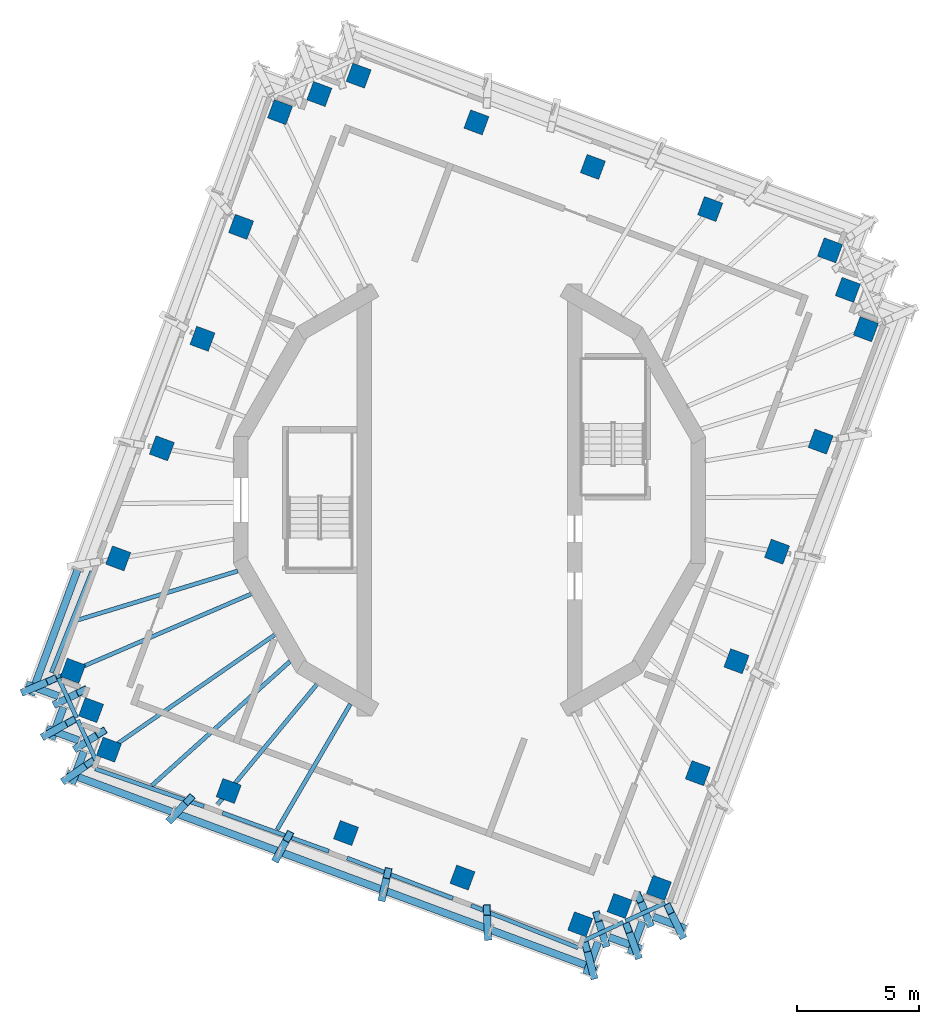
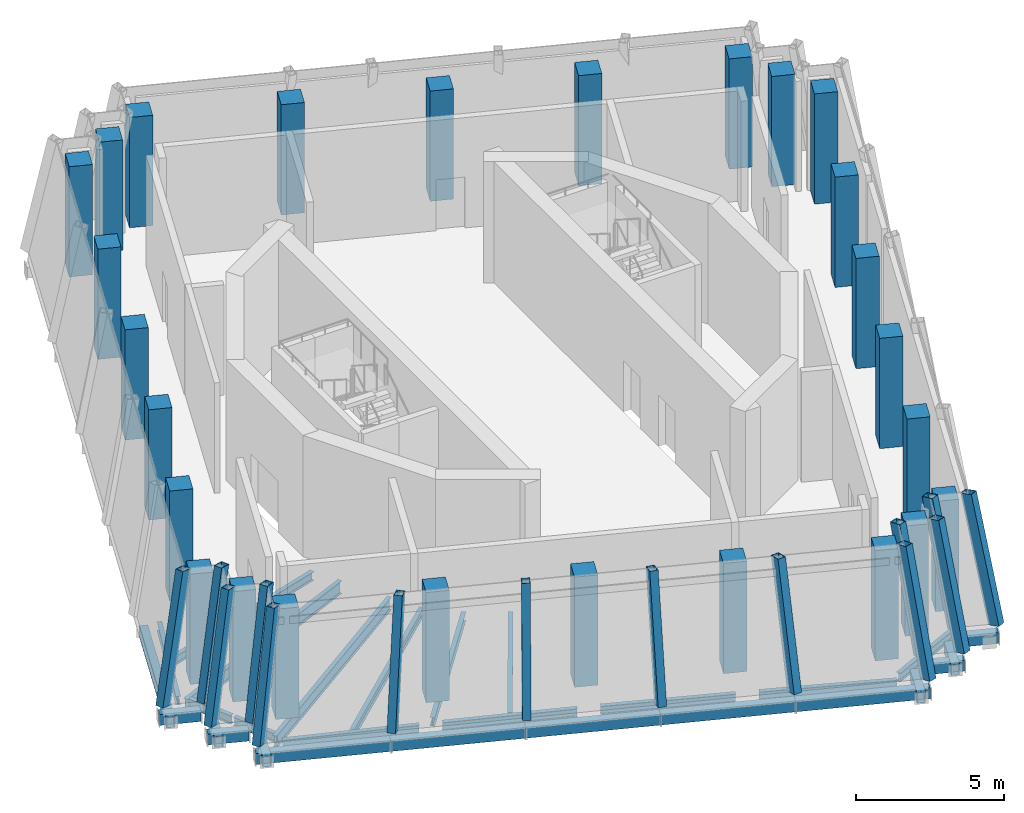
# One storey, part 1 of 13: 28 members, 26 columns, 15 beams, 15 elements without a shape of their own.
"""IFC4 building model written with IfcOpenShell, lengths in metres."""

from ifc_helpers import new_model, si_unit, direction, frame, origin, origin_2d, place, context, subcontext, project, spatial, rectangle, hollow_rectangle, i_section, extrude, material, material_profile, profile_set, type_object, element, aggregate, save


model = new_model("IFC4")

# Units and contexts
model_context = context("Model", 3, precision=1e-05, world=origin(), true_north=direction((0.0, 1.0)))
body_context = subcontext(model_context, "Body", "Model", "MODEL_VIEW")
ifc_project = project(units=[si_unit("LENGTHUNIT", "METRE"), si_unit("AREAUNIT", "SQUARE_METRE"), si_unit("VOLUMEUNIT", "CUBIC_METRE"), si_unit("PLANEANGLEUNIT", "RADIAN"), si_unit("MASSUNIT", "GRAM", prefix="KILO")], contexts=[model_context])

# Site, building, storey
site_placement = place(None, origin())
site = spatial("IfcSite", under=ifc_project, at=site_placement, CompositionType="ELEMENT")
building_placement = place(site_placement, origin())
building = spatial("IfcBuilding", under=site, at=building_placement, Name="Cantera Rosa Tower", CompositionType="ELEMENT")
storey_placement = place(building_placement, frame((0.0, 0.0, 350.699951171875)))
storey = spatial("IfcBuildingStorey", under=building, at=storey_placement, Name="L79", CompositionType="ELEMENT", Elevation=350.699951171875)

# Columns
ifc_material_1 = material(Name="Concrete C50/60", Category="concrete")
ifc_material_profile_1 = material_profile(ifc_material_1, rectangle(XDim=0.800048828125, YDim=0.800048828125, at=origin_2d()), Name="RC COLUMN RC800X800 C50/60")
ifc_profile_set_1 = profile_set([ifc_material_profile_1], Name="Concrete C50/60")
column_type = type_object("IfcColumnType", Name="RC COLUMN RC800X800 C50/60", PredefinedType="COLUMN", material=ifc_profile_set_1)
for number, where, z_axis, x_axis, name in (
    (1, (14.746337890625, 10.210693359375, 0.0), (0.0, 0.0, 1.0), (0.347481234489, 0.937686936924, 0.0), "C-Z6-01 L79"),
    (2, (9.84716796875, 11.900146484375, 0.0), (0.0, 0.0, 1.0), (0.347481234489, 0.937686936924, 0.0), "C-Z6-02 L79"),
    (3, (5.0478515625, 13.621826171875, 0.0), (0.0, 0.0, 1.0), (0.347481234489, 0.937686936924, 0.0), "C-Z6-03 L79"),
    (4, (0.28564453125, 15.443359375, 0.0), (0.0, 0.0, 1.0), (0.347481234489, 0.937686936924, 0.0), "C-Z6-04 L79"),
    (5, (-4.531494140625, 17.3544921875, 0.0), (0.0, 0.0, 1.0), (0.347481234489, 0.937686936924, 0.0), "C-Z6-05 L79"),
    (6, (-6.138427734375, 16.603515625, 0.0), (0.0, 0.0, 1.0), (0.347481234489, 0.937686936924, 0.0), "C-Z6-06 L79"),
    (7, (-7.74755859375, 15.862060546875, 0.0), (0.0, 0.0, 1.0), (0.347481234489, 0.937686936924, 0.0), "C-Z6-07 L79"),
    (8, (-9.33935546875, 11.171875, 0.0), (0.0, 0.0, 1.0), (0.347481234489, 0.937686936924, 0.0), "C-Z6-08 L79"),
    (9, (-10.919677734375, 6.5947265625, 0.0), (0.0, 0.0, 1.0), (0.347481234489, 0.937686936924, 0.0), "C-Z6-09 L79"),
    (10, (-12.580322265625, 2.11376953125, 0.0), (0.0, 0.0, 1.0), (0.347481234489, 0.937686936924, 0.0), "C-Z6-10 L79"),
    (11, (-14.3642578125, -2.387939453125, 0.0), (0.0, 0.0, 1.0), (0.347481234489, 0.937686936924, 0.0), "C-Z6-11 L79"),
    (12, (-16.213134765625, -6.98291015625, 0.0), (0.0, 0.0, 1.0), (0.347481234489, 0.937686936924, 0.0), "C-Z6-12 L79"),
    (13, (-15.47607421875, -8.59375, 0.0), (0.0, 0.0, 1.0), (0.347481234489, 0.937686936924, 0.0), "C-Z6-13 L79"),
    (14, (-14.746337890625, -10.210693359375, 0.0), (0.0, 0.0, 1.0), (0.347481234489, 0.937686936924, 0.0), "C-Z6-14 L79"),
    (15, (-9.84716796875, -11.900146484375, 0.0), (0.0, 0.0, 1.0), (0.347481234489, 0.937686936924, 0.0), "C-Z6-15 L79"),
    (16, (-5.0478515625, -13.621826171875, 0.0), (0.0, 0.0, 1.0), (0.347481234489, 0.937686936924, 0.0), "C-Z6-16 L79"),
    (17, (-0.28564453125, -15.443359375, 0.0), (0.0, 0.0, 1.0), (0.347481234489, 0.937686936924, 0.0), "C-Z6-17 L79"),
    (18, (4.531494140625, -17.3544921875, 0.0), (0.0, 0.0, 1.0), (0.347481234489, 0.937686936924, 0.0), "C-Z6-18 L79"),
    (19, (6.138427734375, -16.603515625, 0.0), (0.0, 0.0, 1.0), (0.347481234489, 0.937686936924, 0.0), "C-Z6-19 L79"),
    (20, (7.74755859375, -15.862060546875, 0.0), (0.0, 0.0, 1.0), (0.347481234489, 0.937686936924, 0.0), "C-Z6-20 L79"),
    (21, (9.33935546875, -11.171875, 0.0), (0.0, 0.0, 1.0), (0.347481234489, 0.937686936924, 0.0), "C-Z6-21 L79"),
    (22, (10.919677734375, -6.5947265625, 0.0), (0.0, 0.0, 1.0), (0.347481234489, 0.937686936924, 0.0), "C-Z6-22 L79"),
    (23, (12.580322265625, -2.11376953125, 0.0), (0.0, 0.0, 1.0), (0.347481234489, 0.937686936924, 0.0), "C-Z6-23 L79"),
    (24, (14.3642578125, 2.387939453125, 0.0), (0.0, 0.0, 1.0), (0.347481234489, 0.937686936924, 0.0), "C-Z6-24 L79"),
    (25, (16.213134765625, 6.98291015625, 0.0), (0.0, 0.0, 1.0), (0.347481234489, 0.937686936924, 0.0), "C-Z6-25 L79"),
    (26, (15.47607421875, 8.59375, 0.0), (0.0, 0.0, 1.0), (0.347481234489, 0.937686936924, 0.0), "C-Z6-26 L79"),
):
    element("IfcColumn", number, at=place(storey_placement, frame(where, z_axis=z_axis, x_axis=x_axis)), inside=storey, type_object=column_type, Name=name, PredefinedType="COLUMN", context=body_context, shape_type="SweptSolid", body=[
        extrude(rectangle(XDim=0.800048828125, YDim=0.800048828125, at=origin_2d()), origin(), (0.0, 0.0, 1.0), 4.550048828125),
    ])

# Curtain wall, member
ifc_material_2 = material(Name="Aluminium frame with clear glass", Category="aluminium")
curtain_wall_type = type_object("IfcCurtainWallType", Name="CW4 CROWN GLAZING", PredefinedType="NOTDEFINED", material=ifc_material_2)
curtain_wall_1_placement = place(storey_placement, origin())
curtain_wall_1 = element("IfcCurtainWall", 27, at=curtain_wall_1_placement, inside=storey, type_object=curtain_wall_type, Name="CW4 L79-15", PredefinedType="NOTDEFINED")
ifc_material_3 = material(Name="Steel S355J2 (EN 10025-2)", Category="steel")
ifc_material_profile_2 = material_profile(ifc_material_3, hollow_rectangle(XDim=0.300048828125, YDim=0.449951171875, WallThickness=0.01611328125, at=origin_2d()), Name="CROWN FRAME MULLION RHS 300x450x16")
ifc_profile_set_2 = profile_set([ifc_material_profile_2], Name="Steel S355J2 (EN 10025-2)")
member_type_1 = type_object("IfcMemberType", Name="CROWN FRAME MULLION RHS 300x450x16", PredefinedType="MULLION", material=ifc_profile_set_2)
member_1_placement = place(storey_placement, frame((-18.12109375, -7.8046875, 0.0), z_axis=(0.202008637427, 0.087024234987, 0.975509760551), x_axis=(-0.395643566928, 0.918404141949, 0.0)))
member_1 = element("IfcMember", 28, at=member_1_placement, type_object=member_type_1, Name="CROWN FRAME rib L79-15", PredefinedType="MULLION", context=body_context, shape_type="SweptSolid", body=[
    extrude(hollow_rectangle(XDim=0.300048828125, YDim=0.449951171875, WallThickness=0.01611328125, at=origin_2d()), origin(), (0.0, 0.0, 1.0), 5.12548828125),
])

curtain_wall_2_placement = place(storey_placement, origin())
curtain_wall_2 = element("IfcCurtainWall", 29, at=curtain_wall_2_placement, inside=storey, type_object=curtain_wall_type, Name="CW4 L79-16", PredefinedType="NOTDEFINED")
member_2_placement = place(storey_placement, frame((-16.808349609375, -8.291015625, 0.0), z_axis=(0.187830109649, 0.092625931042, 0.97782426172), x_axis=(-0.442282435739, 0.896875825874, 0.0)))
member_2 = element("IfcMember", 30, at=member_2_placement, type_object=member_type_1, Name="CROWN FRAME rib L79-16", PredefinedType="MULLION", context=body_context, shape_type="SweptSolid", body=[
    extrude(hollow_rectangle(XDim=0.300048828125, YDim=0.449951171875, WallThickness=0.01611328125, at=origin_2d()), origin(), (0.0, 0.0, 1.0), 5.11328125),
])

curtain_wall_3_placement = place(storey_placement, origin())
curtain_wall_3 = element("IfcCurtainWall", 31, at=curtain_wall_3_placement, inside=storey, type_object=curtain_wall_type, Name="CW4 L79-17", PredefinedType="NOTDEFINED")
member_3_placement = place(storey_placement, frame((-17.294921875, -9.603759765625, 0.0), z_axis=(0.192790277185, 0.107063375275, 0.975381639512), x_axis=(-0.485496229045, 0.874238761199, 0.0)))
member_3 = element("IfcMember", 32, at=member_3_placement, type_object=member_type_1, Name="CROWN FRAME rib L79-17", PredefinedType="MULLION", context=body_context, shape_type="SweptSolid", body=[
    extrude(hollow_rectangle(XDim=0.300048828125, YDim=0.449951171875, WallThickness=0.01611328125, at=origin_2d()), origin(), (0.0, 0.0, 1.0), 5.126220703125),
])

curtain_wall_4_placement = place(storey_placement, origin())
curtain_wall_4 = element("IfcCurtainWall", 33, at=curtain_wall_4_placement, inside=storey, type_object=curtain_wall_type, Name="CW4 L79-18", PredefinedType="NOTDEFINED")
member_4_placement = place(storey_placement, frame((-15.982177734375, -10.09033203125, 0.0), z_axis=(0.178547268213, 0.11273152834, 0.977452032343), x_axis=(-0.533873930699, 0.84556408753, 0.0)))
member_4 = element("IfcMember", 34, at=member_4_placement, type_object=member_type_1, Name="CROWN FRAME rib L79-18", PredefinedType="MULLION", context=body_context, shape_type="SweptSolid", body=[
    extrude(hollow_rectangle(XDim=0.300048828125, YDim=0.449951171875, WallThickness=0.01611328125, at=origin_2d()), origin(), (0.0, 0.0, 1.0), 5.115234375),
])

curtain_wall_5_placement = place(storey_placement, origin())
curtain_wall_5 = element("IfcCurtainWall", 35, at=curtain_wall_5_placement, inside=storey, type_object=curtain_wall_type, Name="CW4 L79-19", PredefinedType="NOTDEFINED")
member_5_placement = place(storey_placement, frame((-16.468505859375, -11.403076171875, 0.0), z_axis=(0.183439123249, 0.127036590543, 0.974788075802), x_axis=(-0.569331987511, 0.822107710703, 0.0)))
member_5 = element("IfcMember", 36, at=member_5_placement, type_object=member_type_1, Name="CROWN FRAME rib L79-19", PredefinedType="MULLION", context=body_context, shape_type="SweptSolid", body=[
    extrude(hollow_rectangle(XDim=0.300048828125, YDim=0.449951171875, WallThickness=0.01611328125, at=origin_2d()), origin(), (0.0, 0.0, 1.0), 5.12939453125),
])

curtain_wall_6_placement = place(storey_placement, origin())
curtain_wall_6 = element("IfcCurtainWall", 37, at=curtain_wall_6_placement, inside=storey, type_object=curtain_wall_type, Name="CW4 L79-20", PredefinedType="NOTDEFINED")
member_6_placement = place(storey_placement, frame((-12.16259765625, -12.998779296875, 0.0), z_axis=(0.136175371792, 0.145601425286, 0.979926779444), x_axis=(-0.730352521861, 0.683070416437, 0.0)))
member_6 = element("IfcMember", 38, at=member_6_placement, type_object=member_type_1, Name="CROWN FRAME rib L79-20", PredefinedType="MULLION", context=body_context, shape_type="SweptSolid", body=[
    extrude(hollow_rectangle(XDim=0.300048828125, YDim=0.449951171875, WallThickness=0.01611328125, at=origin_2d()), origin(), (0.0, 0.0, 1.0), 5.1025390625),
])

curtain_wall_7_placement = place(storey_placement, origin())
curtain_wall_7 = element("IfcCurtainWall", 39, at=curtain_wall_7_placement, inside=storey, type_object=curtain_wall_type, Name="CW4 L79-21", PredefinedType="NOTDEFINED")
member_7_placement = place(storey_placement, frame((-7.85693359375, -14.59423828125, 0.0), z_axis=(0.088225909916, 0.163882386228, 0.982526718366), x_axis=(-0.880512480257, 0.474022965806, 0.0)))
member_7 = element("IfcMember", 40, at=member_7_placement, type_object=member_type_1, Name="CROWN FRAME rib L79-21", PredefinedType="MULLION", context=body_context, shape_type="SweptSolid", body=[
    extrude(hollow_rectangle(XDim=0.300048828125, YDim=0.449951171875, WallThickness=0.01611328125, at=origin_2d()), origin(), (0.0, 0.0, 1.0), 5.0888671875),
])

curtain_wall_8_placement = place(storey_placement, origin())
curtain_wall_8 = element("IfcCurtainWall", 41, at=curtain_wall_8_placement, inside=storey, type_object=curtain_wall_type, Name="CW4 L79-22", PredefinedType="NOTDEFINED")
member_8_placement = place(storey_placement, frame((-3.551025390625, -16.18994140625, 0.0), z_axis=(0.039867351696, 0.18177785268, 0.98253112243), x_axis=(-0.976783829743, 0.214227332414, 0.0)))
member_8 = element("IfcMember", 42, at=member_8_placement, type_object=member_type_1, Name="CROWN FRAME rib L79-22", PredefinedType="MULLION", context=body_context, shape_type="SweptSolid", body=[
    extrude(hollow_rectangle(XDim=0.300048828125, YDim=0.449951171875, WallThickness=0.01611328125, at=origin_2d()), origin(), (0.0, 0.0, 1.0), 5.0888671875),
])

curtain_wall_9_placement = place(storey_placement, origin())
curtain_wall_9 = element("IfcCurtainWall", 43, at=curtain_wall_9_placement, inside=storey, type_object=curtain_wall_type, Name="CW4 L79-23", PredefinedType="NOTDEFINED")
member_9_placement = place(storey_placement, frame((0.7548828125, -17.78564453125, 0.0), z_axis=(-0.00846907113, 0.199190639075, 0.979924162443), x_axis=(-0.999097358313, -0.042479037334, 0.0)))
member_9 = element("IfcMember", 44, at=member_9_placement, type_object=member_type_1, Name="CROWN FRAME rib L79-23", PredefinedType="MULLION", context=body_context, shape_type="SweptSolid", body=[
    extrude(hollow_rectangle(XDim=0.300048828125, YDim=0.449951171875, WallThickness=0.01611328125, at=origin_2d()), origin(), (0.0, 0.0, 1.0), 5.1025390625),
])

curtain_wall_10_placement = place(storey_placement, origin())
curtain_wall_10 = element("IfcCurtainWall", 45, at=curtain_wall_10_placement, inside=storey, type_object=curtain_wall_type, Name="CW4 L79-24", PredefinedType="NOTDEFINED")
member_10_placement = place(storey_placement, frame((5.060791015625, -19.381103515625, 0.0), z_axis=(-0.056402363783, 0.215899681115, 0.974785156357), x_axis=(-0.967528872957, -0.252760519059, 0.0)))
member_10 = element("IfcMember", 46, at=member_10_placement, type_object=member_type_1, Name="CROWN FRAME rib L79-24", PredefinedType="MULLION", context=body_context, shape_type="SweptSolid", body=[
    extrude(hollow_rectangle(XDim=0.300048828125, YDim=0.449951171875, WallThickness=0.01611328125, at=origin_2d()), origin(), (0.0, 0.0, 1.0), 5.12939453125),
])

curtain_wall_11_placement = place(storey_placement, origin())
curtain_wall_11 = element("IfcCurtainWall", 47, at=curtain_wall_11_placement, inside=storey, type_object=curtain_wall_type, Name="CW4 L79-25", PredefinedType="NOTDEFINED")
member_11_placement = place(storey_placement, frame((5.547119140625, -18.068359375, 0.0), z_axis=(-0.061950185044, 0.201839239252, 0.977457465096), x_axis=(-0.955984057703, -0.293418611232, 0.0)))
member_11 = element("IfcMember", 48, at=member_11_placement, type_object=member_type_1, Name="CROWN FRAME rib L79-25", PredefinedType="MULLION", context=body_context, shape_type="SweptSolid", body=[
    extrude(hollow_rectangle(XDim=0.300048828125, YDim=0.449951171875, WallThickness=0.01611328125, at=origin_2d()), origin(), (0.0, 0.0, 1.0), 5.115234375),
])

curtain_wall_12_placement = place(storey_placement, origin())
curtain_wall_12 = element("IfcCurtainWall", 49, at=curtain_wall_12_placement, inside=storey, type_object=curtain_wall_type, Name="CW4 L79-26", PredefinedType="NOTDEFINED")
member_12_placement = place(storey_placement, frame((6.85986328125, -18.554931640625, 0.0), z_axis=(-0.076440005871, 0.206840464485, 0.975384000153), x_axis=(-0.937996025489, -0.34664600988, 0.0)))
member_12 = element("IfcMember", 50, at=member_12_placement, type_object=member_type_1, Name="CROWN FRAME rib L79-26", PredefinedType="MULLION", context=body_context, shape_type="SweptSolid", body=[
    extrude(hollow_rectangle(XDim=0.300048828125, YDim=0.449951171875, WallThickness=0.01611328125, at=origin_2d()), origin(), (0.0, 0.0, 1.0), 5.126220703125),
])

curtain_wall_13_placement = place(storey_placement, origin())
curtain_wall_13 = element("IfcCurtainWall", 51, at=curtain_wall_13_placement, inside=storey, type_object=curtain_wall_type, Name="CW4 L79-27", PredefinedType="NOTDEFINED")
member_13_placement = place(storey_placement, frame((7.346435546875, -17.2421875, 0.0), z_axis=(-0.082073811804, 0.192699188158, 0.977819468153), x_axis=(-0.920027022775, -0.391854918769, 0.0)))
member_13 = element("IfcMember", 52, at=member_13_placement, type_object=member_type_1, Name="CROWN FRAME rib L79-27", PredefinedType="MULLION", context=body_context, shape_type="SweptSolid", body=[
    extrude(hollow_rectangle(XDim=0.300048828125, YDim=0.449951171875, WallThickness=0.01611328125, at=origin_2d()), origin(), (0.0, 0.0, 1.0), 5.113525390625),
])

curtain_wall_14_placement = place(storey_placement, origin())
curtain_wall_14 = element("IfcCurtainWall", 53, at=curtain_wall_14_placement, inside=storey, type_object=curtain_wall_type, Name="CW4 L79-28", PredefinedType="NOTDEFINED")
member_14_placement = place(storey_placement, frame((8.6591796875, -17.728759765625, 0.0), z_axis=(-0.096549906813, 0.197672478181, 0.975501771841), x_axis=(-0.898545674073, -0.438880019601, 0.0)))
member_14 = element("IfcMember", 54, at=member_14_placement, type_object=member_type_1, Name="CROWN FRAME rib L79-28", PredefinedType="MULLION", context=body_context, shape_type="SweptSolid", body=[
    extrude(hollow_rectangle(XDim=0.300048828125, YDim=0.449951171875, WallThickness=0.01611328125, at=origin_2d()), origin(), (0.0, 0.0, 1.0), 5.12548828125),
])
aggregate(curtain_wall_14, [member_14])

curtain_wall_15_placement = place(storey_placement, origin())
curtain_wall_15 = element("IfcCurtainWall", 55, at=curtain_wall_15_placement, inside=storey, type_object=curtain_wall_type, Name="CW4 L79-14", PredefinedType="NOTDEFINED")
ifc_material_4 = material(Name="Steel S355J2 (EN 10025-2)", Category="steel")
ifc_material_profile_3 = material_profile(ifc_material_4, hollow_rectangle(XDim=0.300048828125, YDim=0.449951171875, WallThickness=0.01611328125, at=origin_2d()), Name="CROWN FRAME PURLIN RHS 300x450x16")
ifc_profile_set_3 = profile_set([ifc_material_profile_3], Name="Steel S355J2 (EN 10025-2)")
member_type_2 = type_object("IfcMemberType", Name="CROWN FRAME PURLIN RHS 300x450x16", PredefinedType="PURLIN", material=ifc_profile_set_3)
member_15_placement = place(storey_placement, frame((-16.01953125, -2.837158203125, -0.675048828125), z_axis=(-0.347491231941, -0.93768323208, 0.0), x_axis=(0.93768323208, -0.347491231941, 0.0)))
member_15 = element("IfcMember", 56, at=member_15_placement, type_object=member_type_2, Name="CROWN FRAME purlin L79-14", PredefinedType="PURLIN", context=body_context, shape_type="SweptSolid", body=[
    extrude(hollow_rectangle(XDim=0.300048828125, YDim=0.449951171875, WallThickness=0.01611328125, at=origin_2d()), origin(), (0.0, 0.0, 1.0), 5.484375),
])
aggregate(curtain_wall_15, [member_15])

# Member
member_16_placement = place(storey_placement, frame((-18.129638671875, -7.53564453125, -0.675048828125), z_axis=(0.937667271934, -0.347534296357, 0.0), x_axis=(0.347534296357, 0.937667271934, 0.0)))
member_16 = element("IfcMember", 57, at=member_16_placement, type_object=member_type_2, Name="CROWN FRAME purlin L79-15", PredefinedType="PURLIN", context=body_context, shape_type="SweptSolid", body=[
    extrude(hollow_rectangle(XDim=0.300048828125, YDim=0.449951171875, WallThickness=0.01611328125, at=origin_2d()), origin(), (0.0, 0.0, 1.0), 1.409912109375),
])

aggregate(curtain_wall_1, [member_1, member_16])

member_17_placement = place(storey_placement, frame((-16.603515625, -8.470458984375, -0.675048828125), z_axis=(-0.34747787662, -0.937688181252, 0.0), x_axis=(0.937688181252, -0.34747787662, 0.0)))
member_17 = element("IfcMember", 58, at=member_17_placement, type_object=member_type_2, Name="CROWN FRAME purlin L79-16", PredefinedType="PURLIN", context=body_context, shape_type="SweptSolid", body=[
    extrude(hollow_rectangle(XDim=0.300048828125, YDim=0.449951171875, WallThickness=0.01611328125, at=origin_2d()), origin(), (0.0, 0.0, 1.0), 1.41015625),
])

aggregate(curtain_wall_2, [member_2, member_17])

member_18_placement = place(storey_placement, frame((-17.296630859375, -9.347900390625, -0.675048828125), z_axis=(0.937667271934, -0.347534296357, 0.0), x_axis=(0.347534296357, 0.937667271934, 0.0)))
member_18 = element("IfcMember", 59, at=member_18_placement, type_object=member_type_2, Name="CROWN FRAME purlin L79-17", PredefinedType="PURLIN", context=body_context, shape_type="SweptSolid", body=[
    extrude(hollow_rectangle(XDim=0.300048828125, YDim=0.449951171875, WallThickness=0.01611328125, at=origin_2d()), origin(), (0.0, 0.0, 1.0), 1.409912109375),
])

aggregate(curtain_wall_3, [member_3, member_18])

member_19_placement = place(storey_placement, frame((-15.771728515625, -10.283447265625, -0.675048828125), z_axis=(-0.34747787662, -0.937688181252, 0.0), x_axis=(0.937688181252, -0.34747787662, 0.0)))
member_19 = element("IfcMember", 60, at=member_19_placement, type_object=member_type_2, Name="CROWN FRAME purlin L79-18", PredefinedType="PURLIN", context=body_context, shape_type="SweptSolid", body=[
    extrude(hollow_rectangle(XDim=0.300048828125, YDim=0.449951171875, WallThickness=0.01611328125, at=origin_2d()), origin(), (0.0, 0.0, 1.0), 1.41015625),
])

aggregate(curtain_wall_4, [member_4, member_19])

member_20_placement = place(storey_placement, frame((-16.4638671875, -11.16015625, -0.675048828125), z_axis=(0.937693339499, -0.347463956489, 0.0), x_axis=(0.347463956489, 0.937693339499, 0.0)))
member_20 = element("IfcMember", 61, at=member_20_placement, type_object=member_type_2, Name="CROWN FRAME purlin L79-19", PredefinedType="PURLIN", context=body_context, shape_type="SweptSolid", body=[
    extrude(hollow_rectangle(XDim=0.300048828125, YDim=0.449951171875, WallThickness=0.01611328125, at=origin_2d()), origin(), (0.0, 0.0, 1.0), 4.6240234375),
])

aggregate(curtain_wall_5, [member_5, member_20])

member_21_placement = place(storey_placement, frame((-12.1279296875, -12.766845703125, -0.675048828125), z_axis=(0.937686964654, -0.347481159659, 0.0), x_axis=(0.347481159659, 0.937686964654, 0.0)))
member_21 = element("IfcMember", 62, at=member_21_placement, type_object=member_type_2, Name="CROWN FRAME purlin L79-20", PredefinedType="PURLIN", context=body_context, shape_type="SweptSolid", body=[
    extrude(hollow_rectangle(XDim=0.300048828125, YDim=0.449951171875, WallThickness=0.01611328125, at=origin_2d()), origin(), (0.0, 0.0, 1.0), 4.623779296875),
])

aggregate(curtain_wall_6, [member_6, member_21])

member_22_placement = place(storey_placement, frame((-7.792236328125, -14.37353515625, -0.675048828125), z_axis=(0.937693339499, -0.347463956489, 0.0), x_axis=(0.347463956489, 0.937693339499, 0.0)))
member_22 = element("IfcMember", 63, at=member_22_placement, type_object=member_type_2, Name="CROWN FRAME purlin L79-21", PredefinedType="PURLIN", context=body_context, shape_type="SweptSolid", body=[
    extrude(hollow_rectangle(XDim=0.300048828125, YDim=0.449951171875, WallThickness=0.01611328125, at=origin_2d()), origin(), (0.0, 0.0, 1.0), 4.6240234375),
])

aggregate(curtain_wall_7, [member_7, member_22])

member_23_placement = place(storey_placement, frame((-3.456298828125, -15.980224609375, -0.675048828125), z_axis=(0.937676136289, -0.347510378888, 0.0), x_axis=(0.347510378888, 0.937676136289, 0.0)))
member_23 = element("IfcMember", 64, at=member_23_placement, type_object=member_type_2, Name="CROWN FRAME purlin L79-22", PredefinedType="PURLIN", context=body_context, shape_type="SweptSolid", body=[
    extrude(hollow_rectangle(XDim=0.300048828125, YDim=0.449951171875, WallThickness=0.01611328125, at=origin_2d()), origin(), (0.0, 0.0, 1.0), 4.6240234375),
])

aggregate(curtain_wall_8, [member_8, member_23])

member_24_placement = place(storey_placement, frame((0.879638671875, -17.587158203125, -0.675048828125), z_axis=(0.937693339499, -0.347463956489, 0.0), x_axis=(0.347463956489, 0.937693339499, 0.0)))
member_24 = element("IfcMember", 65, at=member_24_placement, type_object=member_type_2, Name="CROWN FRAME purlin L79-23", PredefinedType="PURLIN", context=body_context, shape_type="SweptSolid", body=[
    extrude(hollow_rectangle(XDim=0.300048828125, YDim=0.449951171875, WallThickness=0.01611328125, at=origin_2d()), origin(), (0.0, 0.0, 1.0), 4.6240234375),
])

aggregate(curtain_wall_9, [member_9, member_24])

member_25_placement = place(storey_placement, frame((4.771728515625, -19.400146484375, -0.675048828125), z_axis=(0.34747787662, 0.937688181252, 0.0), x_axis=(-0.937688181252, 0.34747787662, 0.0)))
member_25 = element("IfcMember", 66, at=member_25_placement, type_object=member_type_2, Name="CROWN FRAME purlin L79-24", PredefinedType="PURLIN", context=body_context, shape_type="SweptSolid", body=[
    extrude(hollow_rectangle(XDim=0.300048828125, YDim=0.449951171875, WallThickness=0.01611328125, at=origin_2d()), origin(), (0.0, 0.0, 1.0), 1.41015625),
])

aggregate(curtain_wall_10, [member_10, member_25])

member_26_placement = place(storey_placement, frame((5.7060546875, -17.8720703125, -0.675048828125), z_axis=(0.937667271934, -0.347534296357, 0.0), x_axis=(0.347534296357, 0.937667271934, 0.0)))
member_26 = element("IfcMember", 67, at=member_26_placement, type_object=member_type_2, Name="CROWN FRAME purlin L79-25", PredefinedType="PURLIN", context=body_context, shape_type="SweptSolid", body=[
    extrude(hollow_rectangle(XDim=0.300048828125, YDim=0.449951171875, WallThickness=0.01611328125, at=origin_2d()), origin(), (0.0, 0.0, 1.0), 1.409912109375),
])

aggregate(curtain_wall_11, [member_11, member_26])

member_27_placement = place(storey_placement, frame((6.584228515625, -18.56689453125, -0.675048828125), z_axis=(0.347534296357, 0.937667271934, 0.0), x_axis=(-0.937667271934, 0.347534296357, 0.0)))
member_27 = element("IfcMember", 68, at=member_27_placement, type_object=member_type_2, Name="CROWN FRAME purlin L79-26", PredefinedType="PURLIN", context=body_context, shape_type="SweptSolid", body=[
    extrude(hollow_rectangle(XDim=0.300048828125, YDim=0.449951171875, WallThickness=0.01611328125, at=origin_2d()), origin(), (0.0, 0.0, 1.0), 1.409912109375),
])

aggregate(curtain_wall_12, [member_12, member_27])

member_28_placement = place(storey_placement, frame((7.518798828125, -17.040283203125, -0.675048828125), z_axis=(0.937667271934, -0.347534296357, 0.0), x_axis=(0.347534296357, 0.937667271934, 0.0)))
member_28 = element("IfcMember", 69, at=member_28_placement, type_object=member_type_2, Name="CROWN FRAME purlin L79-27", PredefinedType="PURLIN", context=body_context, shape_type="SweptSolid", body=[
    extrude(hollow_rectangle(XDim=0.300048828125, YDim=0.449951171875, WallThickness=0.01611328125, at=origin_2d()), origin(), (0.0, 0.0, 1.0), 1.409912109375),
])

aggregate(curtain_wall_13, [member_13, member_28])

# Beams
ifc_material_5 = material(Name="Steel ASTM A992 (Fy 345 MPa)", Category="steel")
ifc_material_profile_4 = material_profile(ifc_material_5, i_section(OverallWidth=0.1708984375, OverallDepth=0.35595703125, WebThickness=0.00732421875, FlangeThickness=0.01171875, FilletRadius=0.010009765625, at=origin_2d()), Name="W360X51")
ifc_profile_set_4 = profile_set([ifc_material_profile_4], Name="Steel ASTM A992 (Fy 345 MPa)")
beam_type_1 = type_object("IfcBeamType", Name="STEEL BEAM W360X51", PredefinedType="BEAM", material=ifc_profile_set_4)
beam_1_placement = place(storey_placement, frame((-10.289306640625, -12.4345703125, -0.6279296875), z_axis=(0.637503906509, 0.7704471229, 0.0), x_axis=(-0.7704471229, 0.637503906509, 0.0)))
element("IfcBeam", 70, at=beam_1_placement, inside=storey, type_object=beam_type_1, Name="CG-Z6-10 L79", PredefinedType="BEAM", context=body_context, shape_type="SweptSolid", body=[
    extrude(i_section(OverallWidth=0.1708984375, OverallDepth=0.35595703125, WebThickness=0.00732421875, FlangeThickness=0.01171875, FilletRadius=0.010009765625, at=origin_2d()), origin(), (0.0, 0.0, 1.0), 6.343017578125),
])
beam_2_placement = place(storey_placement, frame((-16.1552734375, -4.9501953125, -0.6279296875), z_axis=(0.956118457888, 0.292980365359, 0.0), x_axis=(-0.292980365359, 0.956118457888, 0.0)))
element("IfcBeam", 71, at=beam_2_placement, inside=storey, type_object=beam_type_1, Name="CB-Z6-07 L79", PredefinedType="BEAM", context=body_context, shape_type="SweptSolid", body=[
    extrude(i_section(OverallWidth=0.1708984375, OverallDepth=0.35595703125, WebThickness=0.00732421875, FlangeThickness=0.01171875, FilletRadius=0.010009765625, at=origin_2d()), origin(), (0.0, 0.0, 1.0), 6.984619140625),
])
beam_3_placement = place(storey_placement, frame((-12.994873046875, -11.683837890625, -0.6279296875), z_axis=(0.743608670291, 0.668615095155, 0.0), x_axis=(-0.668615095155, 0.743608670291, 0.0)))
element("IfcBeam", 72, at=beam_3_placement, inside=storey, type_object=beam_type_1, Name="CB-Z6-08 L79", PredefinedType="BEAM", context=body_context, shape_type="SweptSolid", body=[
    extrude(i_section(OverallWidth=0.1708984375, OverallDepth=0.35595703125, WebThickness=0.00732421875, FlangeThickness=0.01171875, FilletRadius=0.010009765625, at=origin_2d()), origin(), (0.0, 0.0, 1.0), 7.6015625),
])
beam_4_placement = place(storey_placement, frame((-7.86669921875, -13.47998046875, -0.6279296875), z_axis=(0.504021583801, 0.863691057649, 0.0), x_axis=(-0.863691057649, 0.504021583801, 0.0)))
element("IfcBeam", 73, at=beam_4_placement, inside=storey, type_object=beam_type_1, Name="CB-Z6-09 L79", PredefinedType="BEAM", context=body_context, shape_type="SweptSolid", body=[
    extrude(i_section(OverallWidth=0.1708984375, OverallDepth=0.35595703125, WebThickness=0.00732421875, FlangeThickness=0.01171875, FilletRadius=0.010009765625, at=origin_2d()), origin(), (0.0, 0.0, 1.0), 5.9482421875),
])
ifc_material_6 = material(Name="Steel ASTM A992 (Fy 345 MPa)", Category="steel")
ifc_material_profile_5 = material_profile(ifc_material_6, i_section(OverallWidth=0.166015625, OverallDepth=0.528076171875, WebThickness=0.009765625, FlangeThickness=0.013671875, FilletRadius=0.0126953125, at=origin_2d()), Name="W530X74")
ifc_profile_set_5 = profile_set([ifc_material_profile_5], Name="Steel ASTM A992 (Fy 345 MPa)")
beam_type_2 = type_object("IfcBeamType", Name="STEEL BEAM W530X74", PredefinedType="BEAM", material=ifc_profile_set_5)
beam_5_placement = place(storey_placement, frame((-16.97314453125, -7.31005859375, -0.7138671875), z_axis=(0.918446906986, 0.395544282031, 0.0), x_axis=(-0.395544282031, 0.918446906986, 0.0)))
element("IfcBeam", 74, at=beam_5_placement, inside=storey, type_object=beam_type_2, Name="CG-Z6-08 L79", PredefinedType="BEAM", context=body_context, shape_type="SweptSolid", body=[
    extrude(i_section(OverallWidth=0.166015625, OverallDepth=0.528076171875, WebThickness=0.009765625, FlangeThickness=0.013671875, FilletRadius=0.0126953125, at=origin_2d()), origin(), (0.0, 0.0, 1.0), 8.754638671875),
])
beam_6_placement = place(storey_placement, frame((-15.44091796875, -10.69140625, -0.7138671875), z_axis=(0.822156411388, 0.569261657951, 0.0), x_axis=(-0.569261657951, 0.822156411388, 0.0)))
element("IfcBeam", 75, at=beam_6_placement, inside=storey, type_object=beam_type_2, Name="CG-Z6-09 L79", PredefinedType="BEAM", context=body_context, shape_type="SweptSolid", body=[
    extrude(i_section(OverallWidth=0.166015625, OverallDepth=0.528076171875, WebThickness=0.009765625, FlangeThickness=0.013671875, FilletRadius=0.0126953125, at=origin_2d()), origin(), (0.0, 0.0, 1.0), 9.089111328125),
])
ifc_material_7 = material(Name="Steel ASTM A992 (Fy 345 MPa)", Category="steel")
ifc_material_profile_6 = material_profile(ifc_material_7, i_section(OverallWidth=0.1708984375, OverallDepth=0.35595703125, WebThickness=0.00732421875, FlangeThickness=0.01171875, FilletRadius=0.010009765625, at=origin_2d()), Name="W360X51")
ifc_profile_set_6 = profile_set([ifc_material_profile_6], Name="Steel ASTM A992 (Fy 345 MPa)")
beam_type_3 = type_object("IfcBeamType", Name="STEEL SPANDREL BEAM W360X51", PredefinedType="SPANDREL", material=ifc_profile_set_6)
beam_7_placement = place(storey_placement, frame((-15.4404296875, -2.91357421875, -0.6279296875), z_axis=(-0.371758420486, -0.92832950874, 0.0), x_axis=(0.92832950874, -0.371758420486, 0.0)))
element("IfcBeam", 76, at=beam_7_placement, inside=storey, type_object=beam_type_3, Name="CEB-Z6-11 L79", PredefinedType="SPANDREL", context=body_context, shape_type="SweptSolid", body=[
    extrude(i_section(OverallWidth=0.1708984375, OverallDepth=0.35595703125, WebThickness=0.00732421875, FlangeThickness=0.01171875, FilletRadius=0.010009765625, at=origin_2d()), origin(), (0.0, 0.0, 1.0), 4.463623046875),
])
beam_8_placement = place(storey_placement, frame((-16.807373046875, -7.28759765625, -0.6279296875), z_axis=(0.416166397811, -0.909288474211, 0.0), x_axis=(0.909288474211, 0.416166397811, 0.0)))
element("IfcBeam", 77, at=beam_8_placement, inside=storey, type_object=beam_type_3, Name="CEB-Z6-12 L79", PredefinedType="SPANDREL", context=body_context, shape_type="SweptSolid", body=[
    extrude(i_section(OverallWidth=0.1708984375, OverallDepth=0.35595703125, WebThickness=0.00732421875, FlangeThickness=0.01171875, FilletRadius=0.010009765625, at=origin_2d()), origin(), (0.0, 0.0, 1.0), 1.7734375),
])
beam_9_placement = place(storey_placement, frame((-16.02294921875, -9.001953125, -0.6279296875), z_axis=(0.411553563989, -0.911385573711, 0.0), x_axis=(0.911385573711, 0.411553563989, 0.0)))
element("IfcBeam", 78, at=beam_9_placement, inside=storey, type_object=beam_type_3, Name="CEB-Z6-13 L79", PredefinedType="SPANDREL", context=body_context, shape_type="SweptSolid", body=[
    extrude(i_section(OverallWidth=0.1708984375, OverallDepth=0.35595703125, WebThickness=0.00732421875, FlangeThickness=0.01171875, FilletRadius=0.010009765625, at=origin_2d()), origin(), (0.0, 0.0, 1.0), 1.775390625),
])
beam_10_placement = place(storey_placement, frame((-15.3095703125, -10.9931640625, -0.6279296875), z_axis=(0.944933682423, -0.327261876519, 0.0), x_axis=(0.327261876519, 0.944933682423, 0.0)))
element("IfcBeam", 79, at=beam_10_placement, inside=storey, type_object=beam_type_3, Name="CEB-Z6-14 L79", PredefinedType="SPANDREL", context=body_context, shape_type="SweptSolid", body=[
    extrude(i_section(OverallWidth=0.1708984375, OverallDepth=0.35595703125, WebThickness=0.00732421875, FlangeThickness=0.01171875, FilletRadius=0.010009765625, at=origin_2d()), origin(), (0.0, 0.0, 1.0), 4.710205078125),
])
beam_11_placement = place(storey_placement, frame((-10.104248046875, -12.801025390625, -0.6279296875), z_axis=(0.941059495406, -0.338241076906, 0.0), x_axis=(0.338241076906, 0.941059495406, 0.0)))
element("IfcBeam", 80, at=beam_11_placement, inside=storey, type_object=beam_type_3, Name="CEB-Z6-15 L79", PredefinedType="SPANDREL", context=body_context, shape_type="SweptSolid", body=[
    extrude(i_section(OverallWidth=0.1708984375, OverallDepth=0.35595703125, WebThickness=0.00732421875, FlangeThickness=0.01171875, FilletRadius=0.010009765625, at=origin_2d()), origin(), (0.0, 0.0, 1.0), 4.626708984375),
])
beam_12_placement = place(storey_placement, frame((-5.0, -14.64404296875, -0.6279296875), z_axis=(0.934230854796, -0.356668908019, 0.0), x_axis=(0.356668908019, 0.934230854796, 0.0)))
element("IfcBeam", 81, at=beam_12_placement, inside=storey, type_object=beam_type_3, Name="CEB-Z6-16 L79", PredefinedType="SPANDREL", context=body_context, shape_type="SweptSolid", body=[
    extrude(i_section(OverallWidth=0.1708984375, OverallDepth=0.35595703125, WebThickness=0.00732421875, FlangeThickness=0.01171875, FilletRadius=0.010009765625, at=origin_2d()), origin(), (0.0, 0.0, 1.0), 4.62646484375),
])
beam_13_placement = place(storey_placement, frame((0.068115234375, -16.583984375, -0.6279296875), z_axis=(0.930027059107, -0.367491046596, 0.0), x_axis=(0.367491046596, 0.930027059107, 0.0)))
element("IfcBeam", 82, at=beam_13_placement, inside=storey, type_object=beam_type_3, Name="CEB-Z6-17 L79", PredefinedType="SPANDREL", context=body_context, shape_type="SweptSolid", body=[
    extrude(i_section(OverallWidth=0.1708984375, OverallDepth=0.35595703125, WebThickness=0.00732421875, FlangeThickness=0.01171875, FilletRadius=0.010009765625, at=origin_2d()), origin(), (0.0, 0.0, 1.0), 4.710205078125),
])
beam_14_placement = place(storey_placement, frame((4.6787109375, -18.020751953125, -0.6279296875), z_axis=(0.90614800824, 0.422960739506, 0.0), x_axis=(-0.422960739506, 0.90614800824, 0.0)))
element("IfcBeam", 83, at=beam_14_placement, inside=storey, type_object=beam_type_3, Name="CEB-Z6-18 L79", PredefinedType="SPANDREL", context=body_context, shape_type="SweptSolid", body=[
    extrude(i_section(OverallWidth=0.1708984375, OverallDepth=0.35595703125, WebThickness=0.00732421875, FlangeThickness=0.01171875, FilletRadius=0.010009765625, at=origin_2d()), origin(), (0.0, 0.0, 1.0), 1.775634765625),
])
beam_15_placement = place(storey_placement, frame((6.388916015625, -17.22265625, -0.6279296875), z_axis=(0.908209043857, 0.418516824818, 0.0), x_axis=(-0.418516824818, 0.908209043857, 0.0)))
element("IfcBeam", 84, at=beam_15_placement, inside=storey, type_object=beam_type_3, Name="CEB-Z6-19 L79", PredefinedType="SPANDREL", context=body_context, shape_type="SweptSolid", body=[
    extrude(i_section(OverallWidth=0.1708984375, OverallDepth=0.35595703125, WebThickness=0.00732421875, FlangeThickness=0.01171875, FilletRadius=0.010009765625, at=origin_2d()), origin(), (0.0, 0.0, 1.0), 1.7734375),
])

save(model, "model.ifc")
